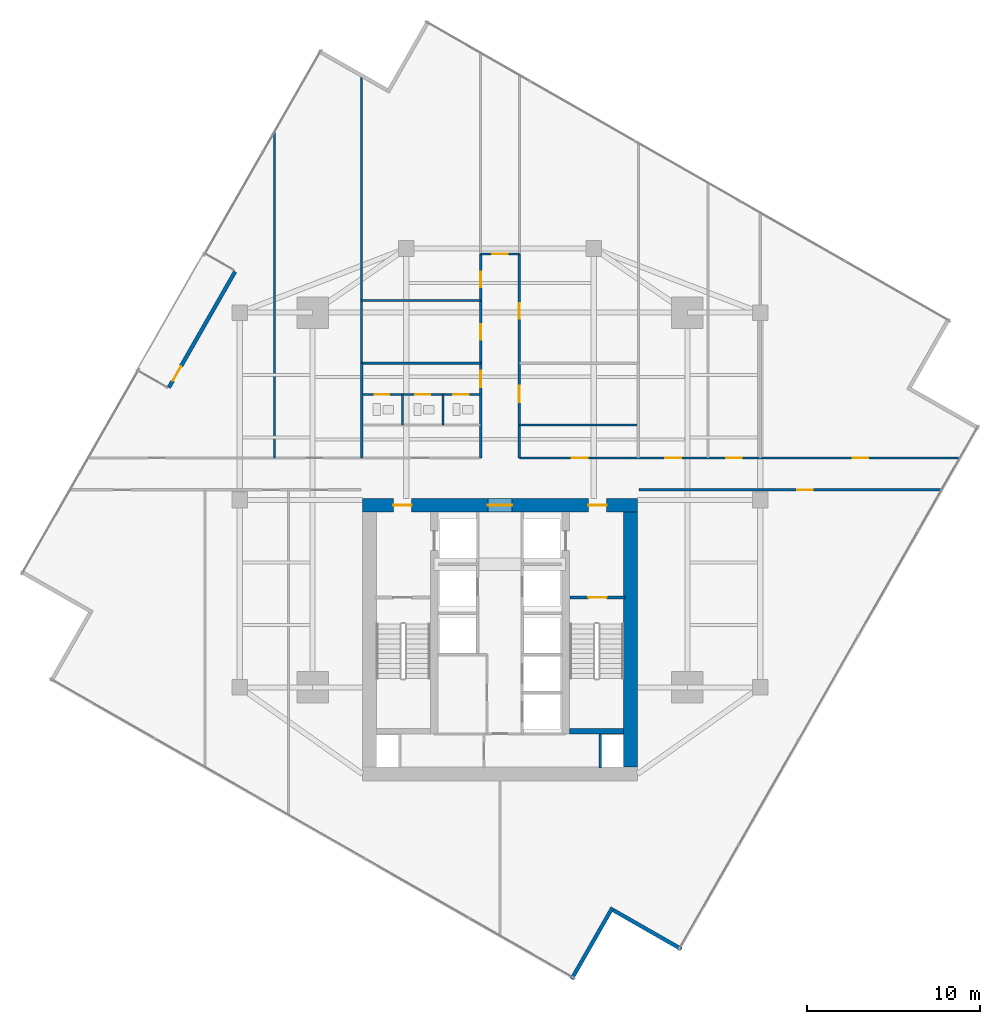
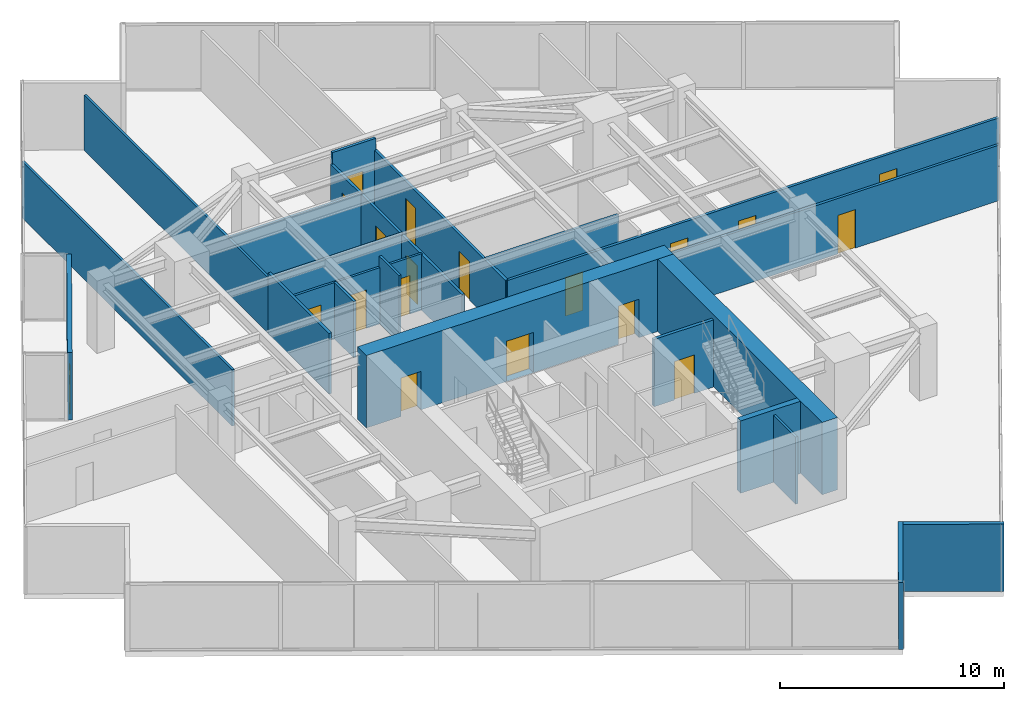
# One storey, part 21 of 24: 22 walls, 19 doors, 19 openings.
"""IFC4 building model written with IfcOpenShell, lengths in metres."""

from ifc_helpers import new_model, si_unit, direction, frame, frame_2d, origin, place, context, subcontext, project, spatial, rectangle, extrude, material, layer, layer_set, type_object, element, fill, save


model = new_model("IFC4")

# Units and contexts
model_context = context("Model", 3, precision=1e-05, world=origin(), true_north=direction((0.0, 1.0)))
body_context = subcontext(model_context, "Body", "Model", "MODEL_VIEW")
ifc_project = project(units=[si_unit("LENGTHUNIT", "METRE"), si_unit("AREAUNIT", "SQUARE_METRE"), si_unit("VOLUMEUNIT", "CUBIC_METRE"), si_unit("PLANEANGLEUNIT", "RADIAN"), si_unit("MASSUNIT", "GRAM", prefix="KILO")], contexts=[model_context])

# Site, building, storey
site_placement = place(None, origin())
site = spatial("IfcSite", under=ifc_project, at=site_placement, CompositionType="ELEMENT")
building_placement = place(site_placement, origin())
building = spatial("IfcBuilding", under=site, at=building_placement, Name="Krantzveldt Concourse Tower", CompositionType="ELEMENT")
storey_placement = place(building_placement, frame((0.0, 0.0, 165.949951171875)))
storey = spatial("IfcBuildingStorey", under=building, at=storey_placement, Name="L40", CompositionType="ELEMENT", Elevation=165.949951171875)

# Wall, opening, door
ifc_material_1 = material(Name="Anodised aluminium 6063-T6", Category="aluminium")
ifc_layer_1 = layer(ifc_material_1, 0.219970703125, Name="Anodised aluminium 6063-T6", Category="aluminium")
ifc_layer_set_1 = layer_set([ifc_layer_1], Name="Anodised aluminium 6063-T6 (WL-EXT-NOTCH220)")
wall_type_1 = type_object("IfcWallType", Name="WL-EXT-NOTCH220", PredefinedType="ELEMENTEDWALL", material=ifc_layer_set_1)
wall_1_placement = place(storey_placement, frame((16.910400390625, 33.181884765625, 0.0), z_axis=(0.0, 0.0, 1.0), x_axis=(0.496214153759, 0.868200157572, 0.0)))
wall_1 = element("IfcWall", 1, at=wall_1_placement, inside=storey, type_object=wall_type_1, Name="EW-L40-TSLOT", PredefinedType="ELEMENTEDWALL", context=body_context, shape_type="SweptSolid", body=[
    extrude(rectangle(XDim=7.68994140625, YDim=0.219970703125, at=frame_2d((3.844970703125, 0.0))), origin(), (0.0, 0.0, 1.0), 3.670166015625),
])
opening_1_placement = place(wall_1_placement, frame((0.449951171875, 0.0, 0.0)))
opening_1 = element("IfcOpeningElement", 2, at=opening_1_placement, cuts=wall_1, Name="Opening D-EX95", PredefinedType="OPENING", context=body_context, shape_type="SweptSolid", body=[
    extrude(rectangle(XDim=0.949951171875, YDim=2.10009765625, at=frame_2d((0.47509765625, 1.050048828125))), frame((0.0, 0.1201171875, 0.0), z_axis=(0.0, -1.0, 0.0), x_axis=(1.0, 0.0, 0.0)), (0.0, 0.0, 1.0), 0.239990234375),
])
door_type_1 = type_object("IfcDoorType", Name="DR-EXT-950", OperationType="SINGLE_SWING_LEFT", PredefinedType="DOOR", material=ifc_material_1)
door_1_placement = place(opening_1_placement, origin())
door_1 = element("IfcDoor", 3, at=door_1_placement, inside=storey, type_object=door_type_1, Name="DR-L40-TERR", OperationType="SINGLE_SWING_LEFT", OverallHeight=2.10009765625, OverallWidth=0.949951171875, PredefinedType="DOOR", context=body_context, shape_type="SweptSolid", body=[
    extrude(rectangle(XDim=0.949951171875, YDim=2.10009765625, at=frame_2d((0.47509765625, 1.050048828125))), frame((0.0, 0.02490234375, 0.0), z_axis=(0.0, -1.0, 0.0), x_axis=(1.0, 0.0, 0.0)), (0.0, 0.0, 1.0), 0.050048828125),
])
fill(opening_1, door_1)

# Walls
wall_2_placement = place(storey_placement, frame((40.131591796875, -0.914794921875, 0.0), z_axis=(0.0, 0.0, 1.0), x_axis=(0.496205429031, 0.868205144076, 0.0)))
element("IfcWall", 4, at=wall_2_placement, inside=storey, type_object=wall_type_1, Name="EW-L40-NCH09", PredefinedType="ELEMENTEDWALL", context=body_context, shape_type="SweptSolid", body=[
    extrude(rectangle(XDim=4.744873046875, YDim=0.219970703125, at=frame_2d((2.37255859375, 0.0))), origin(), (0.0, 0.0, 1.0), 3.670166015625),
])
wall_3_placement = place(storey_placement, frame((42.527099609375, 3.0546875, 0.0), z_axis=(0.0, 0.0, 1.0), x_axis=(0.868193332938, -0.496226094278, 0.0)))
element("IfcWall", 5, at=wall_3_placement, inside=storey, type_object=wall_type_1, Name="EW-L40-NCH10", PredefinedType="ELEMENTEDWALL", context=body_context, shape_type="SweptSolid", body=[
    extrude(rectangle(XDim=4.52490234375, YDim=0.219970703125, at=frame_2d((2.262451171875, 0.0))), origin(), (0.0, 0.0, 1.0), 3.670166015625),
])
ifc_material_2 = material(Name="Fire-rated gypsum plasterboard on steel stud", Category="steel")
ifc_layer_2 = layer(ifc_material_2, 0.1201171875, Name="Fire-rated gypsum plasterboard on steel stud", Category="steel")
ifc_layer_set_2 = layer_set([ifc_layer_2], Name="Fire-rated gypsum plasterboard on steel stud (WL-PART-120)")
wall_type_2 = type_object("IfcWallType", Name="WL-PART-120", PredefinedType="PARTITIONING", material=ifc_layer_set_2)
wall_4_placement = place(storey_placement, frame((37.1201171875, 31.02001953125, 0.0), z_axis=(0.0, 0.0, 1.0), x_axis=(1.0, 0.0, 0.0)))
element("IfcWall", 6, at=wall_4_placement, inside=storey, type_object=wall_type_2, Name="WP-L40-ISMR", PredefinedType="PARTITIONING", context=body_context, shape_type="SweptSolid", body=[
    extrude(rectangle(XDim=6.85986328125, YDim=0.1201171875, at=frame_2d((3.429931640625, 0.0))), origin(), (0.0, 0.0, 1.0), 3.080078125),
])

# Wall, openings, doors
wall_5_placement = place(storey_placement, frame((28.050048828125, 32.780029296875, 0.0), z_axis=(0.0, 0.0, 1.0), x_axis=(1.0, 0.0, 0.0)))
wall_5 = element("IfcWall", 7, at=wall_5_placement, inside=storey, type_object=wall_type_2, Name="WP-L40-WCHDR", PredefinedType="PARTITIONING", context=body_context, shape_type="SweptSolid", body=[
    extrude(rectangle(XDim=6.800048828125, YDim=0.1201171875, at=frame_2d((3.39990234375, 0.0))), origin(), (0.0, 0.0, 1.0), 3.080078125),
])
opening_2_placement = place(wall_5_placement, frame((0.72509765625, 0.0, 0.0)))
opening_2 = element("IfcOpeningElement", 8, at=opening_2_placement, cuts=wall_5, Name="Opening D-IN085", PredefinedType="OPENING", context=body_context, shape_type="SweptSolid", body=[
    extrude(rectangle(XDim=0.85009765625, YDim=2.10009765625, at=frame_2d((0.425048828125, 1.050048828125))), frame((0.0, 0.070068359375, 0.0), z_axis=(0.0, -1.0, 0.0), x_axis=(1.0, 0.0, 0.0)), (0.0, 0.0, 1.0), 0.14013671875),
])
opening_3_placement = place(wall_5_placement, frame((3.06494140625, 0.0, 0.0)))
opening_3 = element("IfcOpeningElement", 9, at=opening_3_placement, cuts=wall_5, Name="Opening D-IN085", PredefinedType="OPENING", context=body_context, shape_type="SweptSolid", body=[
    extrude(rectangle(XDim=0.85009765625, YDim=2.10009765625, at=frame_2d((0.425048828125, 1.050048828125))), frame((0.0, 0.070068359375, 0.0), z_axis=(0.0, -1.0, 0.0), x_axis=(1.0, 0.0, 0.0)), (0.0, 0.0, 1.0), 0.14013671875),
])
opening_4_placement = place(wall_5_placement, frame((5.25, 0.0, 0.0)))
opening_4 = element("IfcOpeningElement", 10, at=opening_4_placement, cuts=wall_5, Name="Opening D-IN090", PredefinedType="OPENING", context=body_context, shape_type="SweptSolid", body=[
    extrude(rectangle(XDim=0.89990234375, YDim=2.10009765625, at=frame_2d((0.449951171875, 1.050048828125))), frame((0.0, 0.070068359375, 0.0), z_axis=(0.0, -1.0, 0.0), x_axis=(1.0, 0.0, 0.0)), (0.0, 0.0, 1.0), 0.14013671875),
])
ifc_material_3 = material(Name="Hardwood timber", Category="wood")
door_type_2 = type_object("IfcDoorType", Name="DR-INT-850", OperationType="SINGLE_SWING_LEFT", PredefinedType="DOOR", material=ifc_material_3)
door_2_placement = place(opening_2_placement, origin())
door_2 = element("IfcDoor", 11, at=door_2_placement, inside=storey, type_object=door_type_2, Name="DR-L40-WCM", OperationType="SINGLE_SWING_LEFT", OverallHeight=2.10009765625, OverallWidth=0.85009765625, PredefinedType="DOOR", context=body_context, shape_type="SweptSolid", body=[
    extrude(rectangle(XDim=0.85009765625, YDim=2.10009765625, at=frame_2d((0.425048828125, 1.050048828125))), frame((0.0, 0.02490234375, 0.0), z_axis=(0.0, -1.0, 0.0), x_axis=(1.0, 0.0, 0.0)), (0.0, 0.0, 1.0), 0.050048828125),
])
fill(opening_2, door_2)
door_3_placement = place(opening_3_placement, origin())
door_3 = element("IfcDoor", 12, at=door_3_placement, inside=storey, type_object=door_type_2, Name="DR-L40-WCF", OperationType="SINGLE_SWING_RIGHT", OverallHeight=2.10009765625, OverallWidth=0.85009765625, PredefinedType="DOOR", context=body_context, shape_type="SweptSolid", body=[
    extrude(rectangle(XDim=0.85009765625, YDim=2.10009765625, at=frame_2d((0.425048828125, 1.050048828125))), frame((0.0, 0.02490234375, 0.0), z_axis=(0.0, -1.0, 0.0), x_axis=(1.0, 0.0, 0.0)), (0.0, 0.0, 1.0), 0.050048828125),
])
fill(opening_3, door_3)
door_type_3 = type_object("IfcDoorType", Name="DR-INT-900", OperationType="SINGLE_SWING_LEFT", PredefinedType="DOOR", material=ifc_material_3)
door_4_placement = place(opening_4_placement, origin())
door_4 = element("IfcDoor", 13, at=door_4_placement, inside=storey, type_object=door_type_3, Name="DR-L40-WCA", OperationType="SINGLE_SWING_LEFT", OverallHeight=2.10009765625, OverallWidth=0.89990234375, PredefinedType="DOOR", context=body_context, shape_type="SweptSolid", body=[
    extrude(rectangle(XDim=0.89990234375, YDim=2.10009765625, at=frame_2d((0.449951171875, 1.050048828125))), frame((0.0, 0.02490234375, 0.0), z_axis=(0.0, -1.0, 0.0), x_axis=(1.0, 0.0, 0.0)), (0.0, 0.0, 1.0), 0.050048828125),
])
fill(opening_4, door_4)

# Walls
wall_6_placement = place(storey_placement, frame((30.3701171875, 31.02001953125, 0.0), z_axis=(0.0, 0.0, 1.0), x_axis=(0.0, 1.0, 0.0)))
element("IfcWall", 14, at=wall_6_placement, inside=storey, type_object=wall_type_2, Name="WP-L40-WCD1", PredefinedType="PARTITIONING", context=body_context, shape_type="SweptSolid", body=[
    extrude(rectangle(XDim=1.760009765625, YDim=0.1201171875, at=frame_2d((0.8798828125, 0.0))), origin(), (0.0, 0.0, 1.0), 3.080078125),
])
wall_7_placement = place(storey_placement, frame((32.7099609375, 31.02001953125, 0.0), z_axis=(0.0, 0.0, 1.0), x_axis=(0.0, 1.0, 0.0)))
element("IfcWall", 15, at=wall_7_placement, inside=storey, type_object=wall_type_2, Name="WP-L40-WCD2", PredefinedType="PARTITIONING", context=body_context, shape_type="SweptSolid", body=[
    extrude(rectangle(XDim=1.760009765625, YDim=0.1201171875, at=frame_2d((0.8798828125, 0.0))), origin(), (0.0, 0.0, 1.0), 3.670166015625),
])
wall_8_placement = place(storey_placement, frame((23.0, 29.1201171875, 0.0), z_axis=(0.0, 0.0, 1.0), x_axis=(0.0, 1.0, 0.0)))
element("IfcWall", 16, at=wall_8_placement, inside=storey, type_object=wall_type_2, Name="WP-L40-NWX1", PredefinedType="PARTITIONING", context=body_context, shape_type="SweptSolid", body=[
    extrude(rectangle(XDim=18.787109375, YDim=0.1201171875, at=frame_2d((9.3935546875, 0.0))), origin(), (0.0, 0.0, 1.0), 3.080078125),
])
wall_9_placement = place(storey_placement, frame((28.02001953125, 34.580078125, 0.0), z_axis=(0.0, 0.0, 1.0), x_axis=(0.0, 1.0, 0.0)))
element("IfcWall", 17, at=wall_9_placement, inside=storey, type_object=wall_type_2, Name="WP-L40-ISWL2", PredefinedType="PARTITIONING", context=body_context, shape_type="SweptSolid", body=[
    extrude(rectangle(XDim=16.463134765625, YDim=0.1201171875, at=frame_2d((8.2314453125, 0.0))), origin(), (0.0, 0.0, 1.0), 3.030029296875),
])
wall_10_placement = place(storey_placement, frame((28.02001953125, 38.199951171875, 0.0), z_axis=(0.0, 0.0, 1.0), x_axis=(1.0, 0.0, 0.0)))
element("IfcWall", 18, at=wall_10_placement, inside=storey, type_object=wall_type_2, Name="WP-L40-NWIY", PredefinedType="PARTITIONING", context=body_context, shape_type="SweptSolid", body=[
    extrude(rectangle(XDim=6.85986328125, YDim=0.1201171875, at=frame_2d((3.429931640625, 0.0))), origin(), (0.0, 0.0, 1.0), 3.080078125),
])

# Wall, openings, doors
ifc_layer_3 = layer(ifc_material_2, 0.139892578125, Name="Fire-rated gypsum plasterboard on steel stud", Category="steel")
ifc_layer_set_3 = layer_set([ifc_layer_3], Name="Fire-rated gypsum plasterboard on steel stud (WL-PART-140)")
wall_type_3 = type_object("IfcWallType", Name="WL-PART-140", PredefinedType="PARTITIONING", material=ifc_layer_set_3)
wall_11_placement = place(storey_placement, frame((34.8798828125, 29.1201171875, 0.0), z_axis=(0.0, 0.0, 1.0), x_axis=(0.0, 1.0, 0.0)))
wall_11 = element("IfcWall", 19, at=wall_11_placement, inside=storey, type_object=wall_type_3, Name="WP-L40-SPWL", PredefinedType="PARTITIONING", context=body_context, shape_type="SweptSolid", body=[
    extrude(rectangle(XDim=11.759765625, YDim=0.139892578125, at=frame_2d((5.8798828125, 0.0))), origin(), (0.0, 0.0, 1.0), 3.030029296875),
])
opening_5_placement = place(wall_11_placement, frame((4.0849609375, 0.0, 0.0)))
opening_5 = element("IfcOpeningElement", 20, at=opening_5_placement, cuts=wall_11, Name="Opening D-IN095", PredefinedType="OPENING", context=body_context, shape_type="SweptSolid", body=[
    extrude(rectangle(XDim=0.949951171875, YDim=2.10009765625, at=frame_2d((0.47509765625, 1.050048828125))), frame((0.0, 0.080078125, 0.0), z_axis=(0.0, -1.0, 0.0), x_axis=(1.0, 0.0, 0.0)), (0.0, 0.0, 1.0), 0.159912109375),
])
opening_6_placement = place(wall_11_placement, frame((6.820068359375, 0.0, 0.0)))
opening_6 = element("IfcOpeningElement", 21, at=opening_6_placement, cuts=wall_11, Name="Opening D-IN090", PredefinedType="OPENING", context=body_context, shape_type="SweptSolid", body=[
    extrude(rectangle(XDim=0.89990234375, YDim=2.10009765625, at=frame_2d((0.449951171875, 1.050048828125))), frame((0.0, 0.080078125, 0.0), z_axis=(0.0, -1.0, 0.0), x_axis=(1.0, 0.0, 0.0)), (0.0, 0.0, 1.0), 0.159912109375),
])
opening_7_placement = place(wall_11_placement, frame((9.830078125, 0.0, 0.0)))
opening_7 = element("IfcOpeningElement", 22, at=opening_7_placement, cuts=wall_11, Name="Opening D-IN090", PredefinedType="OPENING", context=body_context, shape_type="SweptSolid", body=[
    extrude(rectangle(XDim=0.89990234375, YDim=2.10009765625, at=frame_2d((0.449951171875, 1.050048828125))), frame((0.0, 0.080078125, 0.0), z_axis=(0.0, -1.0, 0.0), x_axis=(1.0, 0.0, 0.0)), (0.0, 0.0, 1.0), 0.159912109375),
])
door_5_placement = place(opening_6_placement, origin())
door_5 = element("IfcDoor", 23, at=door_5_placement, inside=storey, type_object=door_type_3, Name="DR-L40-NWI1", OperationType="SINGLE_SWING_LEFT", OverallHeight=2.10009765625, OverallWidth=0.89990234375, PredefinedType="DOOR", context=body_context, shape_type="SweptSolid", body=[
    extrude(rectangle(XDim=0.89990234375, YDim=2.10009765625, at=frame_2d((0.449951171875, 1.050048828125))), frame((0.0, 0.02490234375, 0.0), z_axis=(0.0, -1.0, 0.0), x_axis=(1.0, 0.0, 0.0)), (0.0, 0.0, 1.0), 0.050048828125),
])
fill(opening_6, door_5)
door_6_placement = place(opening_7_placement, origin())
door_6 = element("IfcDoor", 24, at=door_6_placement, inside=storey, type_object=door_type_3, Name="DR-L40-NWI2", OperationType="SINGLE_SWING_LEFT", OverallHeight=2.10009765625, OverallWidth=0.89990234375, PredefinedType="DOOR", context=body_context, shape_type="SweptSolid", body=[
    extrude(rectangle(XDim=0.89990234375, YDim=2.10009765625, at=frame_2d((0.449951171875, 1.050048828125))), frame((0.0, 0.02490234375, 0.0), z_axis=(0.0, -1.0, 0.0), x_axis=(1.0, 0.0, 0.0)), (0.0, 0.0, 1.0), 0.050048828125),
])
fill(opening_7, door_6)
door_type_4 = type_object("IfcDoorType", Name="DR-INT-950", OperationType="SINGLE_SWING_LEFT", PredefinedType="DOOR", material=ifc_material_3)
door_7_placement = place(opening_5_placement, origin())
door_7 = element("IfcDoor", 25, at=door_7_placement, inside=storey, type_object=door_type_4, Name="DR-L40-WCLB", OperationType="SINGLE_SWING_LEFT", OverallHeight=2.10009765625, OverallWidth=0.949951171875, PredefinedType="DOOR", context=body_context, shape_type="SweptSolid", body=[
    extrude(rectangle(XDim=0.949951171875, YDim=2.10009765625, at=frame_2d((0.47509765625, 1.050048828125))), frame((0.0, 0.02490234375, 0.0), z_axis=(0.0, -1.0, 0.0), x_axis=(1.0, 0.0, 0.0)), (0.0, 0.0, 1.0), 0.050048828125),
])
fill(opening_5, door_7)

wall_12_placement = place(storey_placement, frame((37.1201171875, 29.1201171875, 0.0), z_axis=(0.0, 0.0, 1.0), x_axis=(0.0, 1.0, 0.0)))
wall_12 = element("IfcWall", 26, at=wall_12_placement, inside=storey, type_object=wall_type_3, Name="WP-L40-SPER", PredefinedType="PARTITIONING", context=body_context, shape_type="SweptSolid", body=[
    extrude(rectangle(XDim=11.759765625, YDim=0.139892578125, at=frame_2d((5.8798828125, 0.0))), origin(), (0.0, 0.0, 1.0), 3.030029296875),
])
opening_8_placement = place(wall_12_placement, frame((3.205078125, 0.0, 0.0)))
opening_8 = element("IfcOpeningElement", 27, at=opening_8_placement, cuts=wall_12, Name="Opening D-IN095", PredefinedType="OPENING", context=body_context, shape_type="SweptSolid", body=[
    extrude(rectangle(XDim=0.949951171875, YDim=2.10009765625, at=frame_2d((0.47509765625, 1.050048828125))), frame((0.0, 0.080078125, 0.0), z_axis=(0.0, -1.0, 0.0), x_axis=(1.0, 0.0, 0.0)), (0.0, 0.0, 1.0), 0.159912109375),
])
opening_9_placement = place(wall_12_placement, frame((8.02001953125, 0.0, 0.0)))
opening_9 = element("IfcOpeningElement", 28, at=opening_9_placement, cuts=wall_12, Name="Opening D-IN090", PredefinedType="OPENING", context=body_context, shape_type="SweptSolid", body=[
    extrude(rectangle(XDim=0.89990234375, YDim=2.10009765625, at=frame_2d((0.449951171875, 1.050048828125))), frame((0.0, 0.080078125, 0.0), z_axis=(0.0, -1.0, 0.0), x_axis=(1.0, 0.0, 0.0)), (0.0, 0.0, 1.0), 0.159912109375),
])
door_8_placement = place(opening_9_placement, origin())
door_8 = element("IfcDoor", 29, at=door_8_placement, inside=storey, type_object=door_type_3, Name="DR-L40-NEI1", OperationType="SINGLE_SWING_LEFT", OverallHeight=2.10009765625, OverallWidth=0.89990234375, PredefinedType="DOOR", context=body_context, shape_type="SweptSolid", body=[
    extrude(rectangle(XDim=0.89990234375, YDim=2.10009765625, at=frame_2d((0.449951171875, 1.050048828125))), frame((0.0, 0.02490234375, 0.0), z_axis=(0.0, -1.0, 0.0), x_axis=(1.0, 0.0, 0.0)), (0.0, 0.0, 1.0), 0.050048828125),
])
fill(opening_9, door_8)
door_9_placement = place(opening_8_placement, origin())
door_9 = element("IfcDoor", 30, at=door_9_placement, inside=storey, type_object=door_type_4, Name="DR-L40-PNT", OperationType="SINGLE_SWING_RIGHT", OverallHeight=2.10009765625, OverallWidth=0.949951171875, PredefinedType="DOOR", context=body_context, shape_type="SweptSolid", body=[
    extrude(rectangle(XDim=0.949951171875, YDim=2.10009765625, at=frame_2d((0.47509765625, 1.050048828125))), frame((0.0, 0.02490234375, 0.0), z_axis=(0.0, -1.0, 0.0), x_axis=(1.0, 0.0, 0.0)), (0.0, 0.0, 1.0), 0.050048828125),
])
fill(opening_8, door_9)

# Wall, opening, door
wall_13_placement = place(storey_placement, frame((34.8798828125, 40.8798828125, 0.0), z_axis=(0.0, 0.0, 1.0), x_axis=(1.0, 0.0, 0.0)))
wall_13 = element("IfcWall", 31, at=wall_13_placement, inside=storey, type_object=wall_type_3, Name="WP-L40-SPTOP", PredefinedType="PARTITIONING", context=body_context, shape_type="SweptSolid", body=[
    extrude(rectangle(XDim=2.240234375, YDim=0.139892578125, at=frame_2d((1.1201171875, 0.0))), origin(), (0.0, 0.0, 1.0), 3.670166015625),
])
opening_10_placement = place(wall_13_placement, frame((0.669921875, 0.0, 0.0)))
opening_10 = element("IfcOpeningElement", 32, at=opening_10_placement, cuts=wall_13, Name="Opening D-IN090", PredefinedType="OPENING", context=body_context, shape_type="SweptSolid", body=[
    extrude(rectangle(XDim=0.89990234375, YDim=2.10009765625, at=frame_2d((0.449951171875, 1.050048828125))), frame((0.0, 0.080078125, 0.0), z_axis=(0.0, -1.0, 0.0), x_axis=(1.0, 0.0, 0.0)), (0.0, 0.0, 1.0), 0.159912109375),
])
door_10_placement = place(opening_10_placement, origin())
door_10 = element("IfcDoor", 33, at=door_10_placement, inside=storey, type_object=door_type_3, Name="DR-L40-NTOP", OperationType="SINGLE_SWING_LEFT", OverallHeight=2.10009765625, OverallWidth=0.89990234375, PredefinedType="DOOR", context=body_context, shape_type="SweptSolid", body=[
    extrude(rectangle(XDim=0.89990234375, YDim=2.10009765625, at=frame_2d((0.449951171875, 1.050048828125))), frame((0.0, 0.02490234375, 0.0), z_axis=(0.0, -1.0, 0.0), x_axis=(1.0, 0.0, 0.0)), (0.0, 0.0, 1.0), 0.050048828125),
])
fill(opening_10, door_10)

# Wall, openings, doors
wall_14_placement = place(storey_placement, frame((37.1201171875, 29.1201171875, 0.0), z_axis=(0.0, 0.0, 1.0), x_axis=(1.0, 0.0, 0.0)))
wall_14 = element("IfcWall", 34, at=wall_14_placement, inside=storey, type_object=wall_type_3, Name="WP-L40-EWNR", PredefinedType="PARTITIONING", context=body_context, shape_type="SweptSolid", body=[
    extrude(rectangle(XDim=25.384033203125, YDim=0.139892578125, at=frame_2d((12.69189453125, 0.0))), origin(), (0.0, 0.0, 1.0), 3.030029296875),
])
opening_11_placement = place(wall_14_placement, frame((3.030029296875, 0.0, 0.0)))
opening_11 = element("IfcOpeningElement", 35, at=opening_11_placement, cuts=wall_14, Name="Opening D-IN090", PredefinedType="OPENING", context=body_context, shape_type="SweptSolid", body=[
    extrude(rectangle(XDim=0.89990234375, YDim=2.10009765625, at=frame_2d((0.449951171875, 1.050048828125))), frame((0.0, 0.080078125, 0.0), z_axis=(0.0, -1.0, 0.0), x_axis=(1.0, 0.0, 0.0)), (0.0, 0.0, 1.0), 0.159912109375),
])
opening_12_placement = place(wall_14_placement, frame((8.419921875, 0.0, 0.0)))
opening_12 = element("IfcOpeningElement", 36, at=opening_12_placement, cuts=wall_14, Name="Opening D-IN090", PredefinedType="OPENING", context=body_context, shape_type="SweptSolid", body=[
    extrude(rectangle(XDim=0.89990234375, YDim=2.10009765625, at=frame_2d((0.449951171875, 1.050048828125))), frame((0.0, 0.080078125, 0.0), z_axis=(0.0, -1.0, 0.0), x_axis=(1.0, 0.0, 0.0)), (0.0, 0.0, 1.0), 0.159912109375),
])
opening_13_placement = place(wall_14_placement, frame((11.929931640625, 0.0, 0.0)))
opening_13 = element("IfcOpeningElement", 37, at=opening_13_placement, cuts=wall_14, Name="Opening D-IN090", PredefinedType="OPENING", context=body_context, shape_type="SweptSolid", body=[
    extrude(rectangle(XDim=0.89990234375, YDim=2.10009765625, at=frame_2d((0.449951171875, 1.050048828125))), frame((0.0, 0.080078125, 0.0), z_axis=(0.0, -1.0, 0.0), x_axis=(1.0, 0.0, 0.0)), (0.0, 0.0, 1.0), 0.159912109375),
])
opening_14_placement = place(wall_14_placement, frame((19.2041015625, 0.0, 0.0)))
opening_14 = element("IfcOpeningElement", 38, at=opening_14_placement, cuts=wall_14, Name="Opening D-IN090", PredefinedType="OPENING", context=body_context, shape_type="SweptSolid", body=[
    extrude(rectangle(XDim=0.89990234375, YDim=2.10009765625, at=frame_2d((0.449951171875, 1.050048828125))), frame((0.0, 0.080078125, 0.0), z_axis=(0.0, -1.0, 0.0), x_axis=(1.0, 0.0, 0.0)), (0.0, 0.0, 1.0), 0.159912109375),
])
door_11_placement = place(opening_11_placement, origin())
door_11 = element("IfcDoor", 39, at=door_11_placement, inside=storey, type_object=door_type_3, Name="DR-L40-ALCR", OperationType="SINGLE_SWING_RIGHT", OverallHeight=2.10009765625, OverallWidth=0.89990234375, PredefinedType="DOOR", context=body_context, shape_type="SweptSolid", body=[
    extrude(rectangle(XDim=0.89990234375, YDim=2.10009765625, at=frame_2d((0.449951171875, 1.050048828125))), frame((0.0, 0.02490234375, 0.0), z_axis=(0.0, -1.0, 0.0), x_axis=(1.0, 0.0, 0.0)), (0.0, 0.0, 1.0), 0.050048828125),
])
fill(opening_11, door_11)
door_12_placement = place(opening_12_placement, origin())
door_12 = element("IfcDoor", 40, at=door_12_placement, inside=storey, type_object=door_type_3, Name="DR-L40-NEX1", OperationType="SINGLE_SWING_RIGHT", OverallHeight=2.10009765625, OverallWidth=0.89990234375, PredefinedType="DOOR", context=body_context, shape_type="SweptSolid", body=[
    extrude(rectangle(XDim=0.89990234375, YDim=2.10009765625, at=frame_2d((0.449951171875, 1.050048828125))), frame((0.0, 0.02490234375, 0.0), z_axis=(0.0, -1.0, 0.0), x_axis=(1.0, 0.0, 0.0)), (0.0, 0.0, 1.0), 0.050048828125),
])
fill(opening_12, door_12)
door_13_placement = place(opening_13_placement, origin())
door_13 = element("IfcDoor", 41, at=door_13_placement, inside=storey, type_object=door_type_3, Name="DR-L40-NEX2", OperationType="SINGLE_SWING_RIGHT", OverallHeight=2.10009765625, OverallWidth=0.89990234375, PredefinedType="DOOR", context=body_context, shape_type="SweptSolid", body=[
    extrude(rectangle(XDim=0.89990234375, YDim=2.10009765625, at=frame_2d((0.449951171875, 1.050048828125))), frame((0.0, 0.02490234375, 0.0), z_axis=(0.0, -1.0, 0.0), x_axis=(1.0, 0.0, 0.0)), (0.0, 0.0, 1.0), 0.050048828125),
])
fill(opening_13, door_13)
door_14_placement = place(opening_14_placement, origin())
door_14 = element("IfcDoor", 42, at=door_14_placement, inside=storey, type_object=door_type_3, Name="DR-L40-NEX3", OperationType="SINGLE_SWING_RIGHT", OverallHeight=2.10009765625, OverallWidth=0.89990234375, PredefinedType="DOOR", context=body_context, shape_type="SweptSolid", body=[
    extrude(rectangle(XDim=0.89990234375, YDim=2.10009765625, at=frame_2d((0.449951171875, 1.050048828125))), frame((0.0, 0.02490234375, 0.0), z_axis=(0.0, -1.0, 0.0), x_axis=(1.0, 0.0, 0.0)), (0.0, 0.0, 1.0), 0.050048828125),
])
fill(opening_14, door_14)

# Wall, opening, door
wall_15_placement = place(storey_placement, frame((44.0, 27.280029296875, 0.0), z_axis=(0.0, 0.0, 1.0), x_axis=(1.0, 0.0, 0.0)))
wall_15 = element("IfcWall", 43, at=wall_15_placement, inside=storey, type_object=wall_type_3, Name="WP-L40-EWSR", PredefinedType="PARTITIONING", context=body_context, shape_type="SweptSolid", body=[
    extrude(rectangle(XDim=17.452392578125, YDim=0.139892578125, at=frame_2d((8.72607421875, 0.0))), origin(), (0.0, 0.0, 1.0), 3.030029296875),
])
opening_15_placement = place(wall_15_placement, frame((9.1240234375, 0.0, 0.0)))
opening_15 = element("IfcOpeningElement", 44, at=opening_15_placement, cuts=wall_15, Name="Opening D-IN090", PredefinedType="OPENING", context=body_context, shape_type="SweptSolid", body=[
    extrude(rectangle(XDim=0.89990234375, YDim=2.10009765625, at=frame_2d((0.449951171875, 1.050048828125))), frame((0.0, 0.080078125, 0.0), z_axis=(0.0, -1.0, 0.0), x_axis=(1.0, 0.0, 0.0)), (0.0, 0.0, 1.0), 0.159912109375),
])
door_15_placement = place(opening_15_placement, origin())
door_15 = element("IfcDoor", 45, at=door_15_placement, inside=storey, type_object=door_type_3, Name="DR-L40-SEX1", OperationType="SINGLE_SWING_RIGHT", OverallHeight=2.10009765625, OverallWidth=0.89990234375, PredefinedType="DOOR", context=body_context, shape_type="SweptSolid", body=[
    extrude(rectangle(XDim=0.89990234375, YDim=2.10009765625, at=frame_2d((0.449951171875, 1.050048828125))), frame((0.0, 0.02490234375, 0.0), z_axis=(0.0, -1.0, 0.0), x_axis=(1.0, 0.0, 0.0)), (0.0, 0.0, 1.0), 0.050048828125),
])
fill(opening_15, door_15)

# Walls
wall_16_placement = place(storey_placement, frame((28.02001953125, 34.580078125, 0.0), z_axis=(0.0, 0.0, 1.0), x_axis=(1.0, 0.0, 0.0)))
element("IfcWall", 46, at=wall_16_placement, inside=storey, type_object=wall_type_3, Name="WP-L40-ISNL", PredefinedType="PARTITIONING", context=body_context, shape_type="SweptSolid", body=[
    extrude(rectangle(XDim=6.85986328125, YDim=0.139892578125, at=frame_2d((3.429931640625, 0.0))), origin(), (0.0, 0.0, 1.0), 3.080078125),
])
wall_17_placement = place(storey_placement, frame((28.02001953125, 29.1201171875, 0.0), z_axis=(0.0, 0.0, 1.0), x_axis=(0.0, 1.0, 0.0)))
element("IfcWall", 47, at=wall_17_placement, inside=storey, type_object=wall_type_3, Name="WP-L40-ISWL", PredefinedType="PARTITIONING", context=body_context, shape_type="SweptSolid", body=[
    extrude(rectangle(XDim=5.4599609375, YDim=0.139892578125, at=frame_2d((2.72998046875, 0.0))), origin(), (0.0, 0.0, 1.0), 3.31005859375),
])
ifc_layer_4 = layer(ifc_material_2, 0.139892578125, Name="Fire-rated gypsum plasterboard on steel stud", Category="steel")
ifc_layer_set_4 = layer_set([ifc_layer_4], Name="Fire-rated gypsum plasterboard on steel stud (WL-PART-FR140)")
wall_type_4 = type_object("IfcWallType", Name="WL-PART-FR140", PredefinedType="PARTITIONING", material=ifc_layer_set_4)
wall_18_placement = place(storey_placement, frame((41.780029296875, 11.25, 0.0), z_axis=(0.0, 0.0, 1.0), x_axis=(0.0, 1.0, 0.0)))
element("IfcWall", 48, at=wall_18_placement, inside=storey, type_object=wall_type_4, Name="WP-L40-RSE", PredefinedType="PARTITIONING", context=body_context, shape_type="SweptSolid", body=[
    extrude(rectangle(XDim=1.969970703125, YDim=0.1201171875, at=frame_2d((0.98486328125, 0.0))), origin(), (0.0, 0.0, 1.0), 3.670166015625),
])

# Wall, opening, door
ifc_layer_5 = layer(ifc_material_2, 0.159912109375, Name="Fire-rated gypsum plasterboard on steel stud", Category="steel")
ifc_layer_set_5 = layer_set([ifc_layer_5], Name="Fire-rated gypsum plasterboard on steel stud (WL-PART-FR160)")
wall_type_5 = type_object("IfcWallType", Name="WL-PART-FR160", PredefinedType="PARTITIONING", material=ifc_layer_set_5)
wall_19_placement = place(storey_placement, frame((40.0400390625, 21.080078125, 0.0), z_axis=(0.0, 0.0, 1.0), x_axis=(1.0, 0.0, 0.0)))
wall_19 = element("IfcWall", 49, at=wall_19_placement, inside=storey, type_object=wall_type_5, Name="WP-L40-ST2", PredefinedType="PARTITIONING", context=body_context, shape_type="SweptSolid", body=[
    extrude(rectangle(XDim=3.159912109375, YDim=0.159912109375, at=frame_2d((1.580078125, 0.0))), origin(), (0.0, 0.0, 1.0), 3.670166015625),
])
opening_16_placement = place(wall_19_placement, frame((1.054931640625, 0.0, 0.0)))
opening_16 = element("IfcOpeningElement", 50, at=opening_16_placement, cuts=wall_19, Name="Opening D-FD105", PredefinedType="OPENING", context=body_context, shape_type="SweptSolid", body=[
    extrude(rectangle(XDim=1.050048828125, YDim=2.10009765625, at=frame_2d((0.52490234375, 1.050048828125))), frame((0.0, 0.08984375, 0.0), z_axis=(0.0, -1.0, 0.0), x_axis=(1.0, 0.0, 0.0)), (0.0, 0.0, 1.0), 0.179931640625),
])
ifc_material_4 = material(Name="Galvanised steel", Category="steel")
door_type_5 = type_object("IfcDoorType", Name="DR-FD120-1050", OperationType="SINGLE_SWING_LEFT", PredefinedType="DOOR", material=ifc_material_4)
door_16_placement = place(opening_16_placement, origin())
door_16 = element("IfcDoor", 51, at=door_16_placement, inside=storey, type_object=door_type_5, Name="DR-L40-ST2", OperationType="SINGLE_SWING_LEFT", OverallHeight=2.10009765625, OverallWidth=1.050048828125, PredefinedType="DOOR", context=body_context, shape_type="SweptSolid", body=[
    extrude(rectangle(XDim=1.050048828125, YDim=2.10009765625, at=frame_2d((0.52490234375, 1.050048828125))), frame((0.0, 0.02490234375, 0.0), z_axis=(0.0, -1.0, 0.0), x_axis=(1.0, 0.0, 0.0)), (0.0, 0.0, 1.0), 0.050048828125),
])
fill(opening_16, door_16)

# Wall
ifc_material_5 = material(Name="Concrete C50/60", Category="concrete")
ifc_layer_6 = layer(ifc_material_5, 0.300048828125, Name="Concrete C50/60", Category="concrete")
ifc_layer_set_6 = layer_set([ifc_layer_6], Name="Concrete C50/60 (WL-SHEAR-300)")
wall_type_6 = type_object("IfcWallType", Name="WL-SHEAR-300", PredefinedType="SHEAR", material=ifc_layer_set_6)
wall_20_placement = place(storey_placement, frame((40.02001953125, 13.3701171875, 0.0), z_axis=(0.0, 0.0, 1.0), x_axis=(1.0, 0.0, 0.0)))
element("IfcWall", 52, at=wall_20_placement, inside=storey, type_object=wall_type_6, Name="CW-L40-ST2S", PredefinedType="SHEAR", context=body_context, shape_type="SweptSolid", body=[
    extrude(rectangle(XDim=3.10009765625, YDim=0.300048828125, at=frame_2d((1.550048828125, 0.0))), origin(), (0.0, 0.0, 1.0), 3.949951171875),
])

# Wall, openings, doors
ifc_material_6 = material(Name="Concrete C60/75", Category="concrete")
ifc_layer_7 = layer(ifc_material_6, 0.800048828125, Name="Concrete C60/75", Category="concrete")
ifc_layer_set_7 = layer_set([ifc_layer_7], Name="Concrete C60/75 (WL-SHEAR-800)")
wall_type_7 = type_object("IfcWallType", Name="WL-SHEAR-800", PredefinedType="SHEAR", material=ifc_layer_set_7)
wall_21_placement = place(storey_placement, frame((28.080078125, 26.39990234375, 0.0), z_axis=(0.0, 0.0, 1.0), x_axis=(1.0, 0.0, 0.0)))
wall_21 = element("IfcWall", 53, at=wall_21_placement, inside=storey, type_object=wall_type_7, Name="CW-L40-N", PredefinedType="SHEAR", context=body_context, shape_type="SweptSolid", body=[
    extrude(rectangle(XDim=15.83984375, YDim=0.800048828125, at=frame_2d((7.919921875, 0.0))), origin(), (0.0, 0.0, 1.0), 3.949951171875),
])
opening_17_placement = place(wall_21_placement, frame((7.219970703125, 0.0, 0.0)))
opening_17 = element("IfcOpeningElement", 54, at=opening_17_placement, cuts=wall_21, Name="Opening D-DB140", PredefinedType="OPENING", context=body_context, shape_type="SweptSolid", body=[
    extrude(rectangle(XDim=1.39990234375, YDim=2.199951171875, at=frame_2d((0.699951171875, 1.10009765625))), frame((0.0, 0.41015625, 0.0), z_axis=(0.0, -1.0, 0.0), x_axis=(1.0, 0.0, 0.0)), (0.0, 0.0, 1.0), 0.820068359375),
])
opening_18_placement = place(wall_21_placement, frame((1.77490234375, 0.0, 0.0)))
opening_18 = element("IfcOpeningElement", 55, at=opening_18_placement, cuts=wall_21, Name="Opening D-FD105", PredefinedType="OPENING", context=body_context, shape_type="SweptSolid", body=[
    extrude(rectangle(XDim=1.050048828125, YDim=2.10009765625, at=frame_2d((0.52490234375, 1.050048828125))), frame((0.0, 0.41015625, 0.0), z_axis=(0.0, -1.0, 0.0), x_axis=(1.0, 0.0, 0.0)), (0.0, 0.0, 1.0), 0.820068359375),
])
opening_19_placement = place(wall_21_placement, frame((13.014892578125, 0.0, 0.0)))
opening_19 = element("IfcOpeningElement", 56, at=opening_19_placement, cuts=wall_21, Name="Opening D-FD105", PredefinedType="OPENING", context=body_context, shape_type="SweptSolid", body=[
    extrude(rectangle(XDim=1.050048828125, YDim=2.10009765625, at=frame_2d((0.52490234375, 1.050048828125))), frame((0.0, 0.41015625, 0.0), z_axis=(0.0, -1.0, 0.0), x_axis=(1.0, 0.0, 0.0)), (0.0, 0.0, 1.0), 0.820068359375),
])
door_type_6 = type_object("IfcDoorType", Name="DR-DBL-1400", OperationType="DOUBLE_DOOR_SINGLE_SWING", PredefinedType="DOOR", material=ifc_material_1)
door_17_placement = place(opening_17_placement, origin())
door_17 = element("IfcDoor", 57, at=door_17_placement, inside=storey, type_object=door_type_6, Name="DR-L40-LLB", OperationType="DOUBLE_DOOR_SINGLE_SWING", OverallHeight=2.199951171875, OverallWidth=1.39990234375, PredefinedType="DOOR", context=body_context, shape_type="SweptSolid", body=[
    extrude(rectangle(XDim=1.39990234375, YDim=2.199951171875, at=frame_2d((0.699951171875, 1.10009765625))), frame((0.0, 0.02490234375, 0.0), z_axis=(0.0, -1.0, 0.0), x_axis=(1.0, 0.0, 0.0)), (0.0, 0.0, 1.0), 0.050048828125),
])
fill(opening_17, door_17)
door_18_placement = place(opening_18_placement, origin())
door_18 = element("IfcDoor", 58, at=door_18_placement, inside=storey, type_object=door_type_5, Name="DR-L40-FFL1", OperationType="SINGLE_SWING_LEFT", OverallHeight=2.10009765625, OverallWidth=1.050048828125, PredefinedType="DOOR", context=body_context, shape_type="SweptSolid", body=[
    extrude(rectangle(XDim=1.050048828125, YDim=2.10009765625, at=frame_2d((0.52490234375, 1.050048828125))), frame((0.0, 0.02490234375, 0.0), z_axis=(0.0, -1.0, 0.0), x_axis=(1.0, 0.0, 0.0)), (0.0, 0.0, 1.0), 0.050048828125),
])
fill(opening_18, door_18)
door_19_placement = place(opening_19_placement, origin())
door_19 = element("IfcDoor", 59, at=door_19_placement, inside=storey, type_object=door_type_5, Name="DR-L40-FFL2", OperationType="SINGLE_SWING_RIGHT", OverallHeight=2.10009765625, OverallWidth=1.050048828125, PredefinedType="DOOR", context=body_context, shape_type="SweptSolid", body=[
    extrude(rectangle(XDim=1.050048828125, YDim=2.10009765625, at=frame_2d((0.52490234375, 1.050048828125))), frame((0.0, 0.02490234375, 0.0), z_axis=(0.0, -1.0, 0.0), x_axis=(1.0, 0.0, 0.0)), (0.0, 0.0, 1.0), 0.050048828125),
])
fill(opening_19, door_19)

# Wall
wall_22_placement = place(storey_placement, frame((43.52001953125, 11.300048828125, 0.0), z_axis=(0.0, 0.0, 1.0), x_axis=(0.0, 1.0, 0.0)))
element("IfcWall", 60, at=wall_22_placement, inside=storey, type_object=wall_type_7, Name="CW-L40-E", PredefinedType="SHEAR", context=body_context, shape_type="SweptSolid", body=[
    extrude(rectangle(XDim=14.699951171875, YDim=0.800048828125, at=frame_2d((7.35009765625, 0.0))), origin(), (0.0, 0.0, 1.0), 3.949951171875),
])

save(model, "model.ifc")
